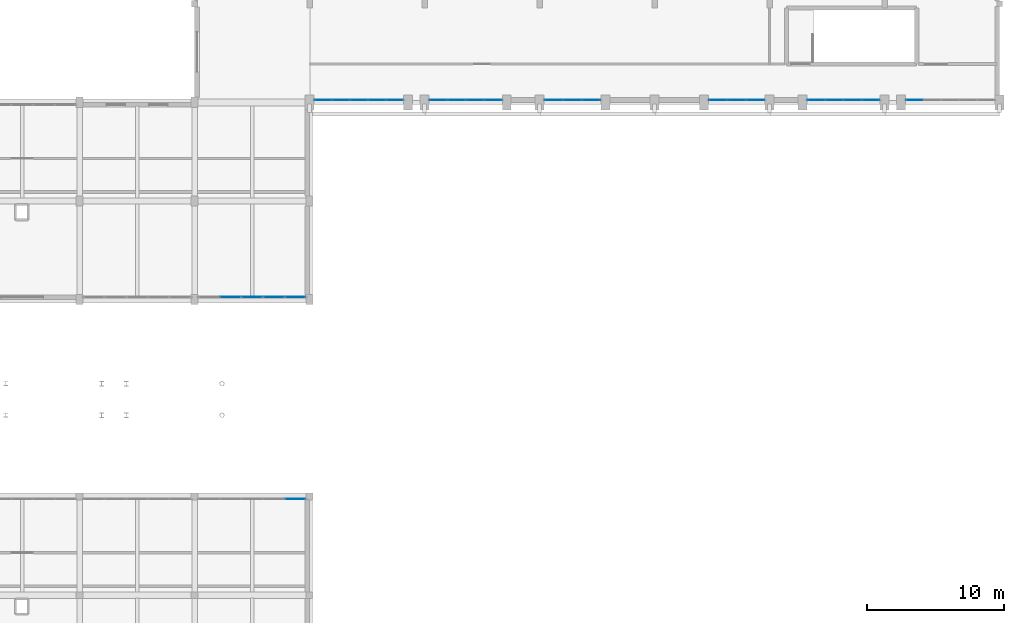
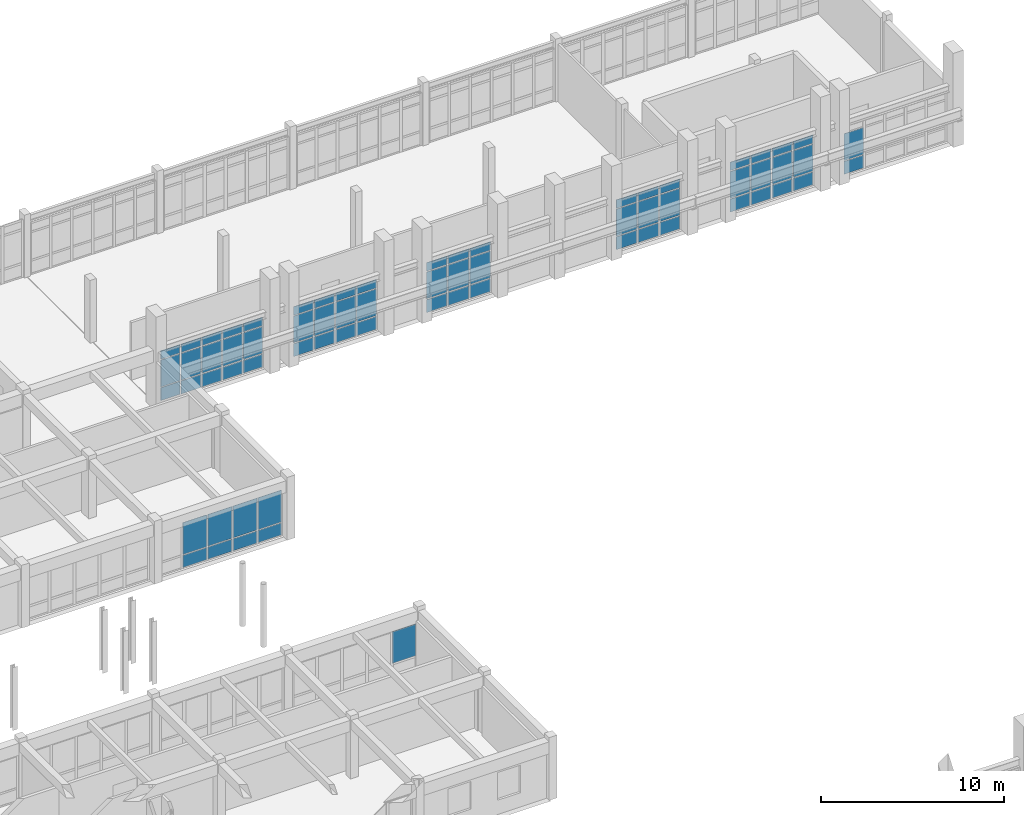
# One storey, part 118 of 147: 68 plates, 8 elements without a shape of their own.
"""IFC4 building model written with IfcOpenShell, lengths in metres."""

from ifc_helpers import new_model, si_unit, direction, frame, origin, origin_2d, place, context, subcontext, project, spatial, rectangle, extrude, material, layer, layer_set, type_object, element, aggregate, save


model = new_model("IFC4")

# Units and contexts
model_context = context("Model", 3, precision=1e-05, world=origin(), true_north=direction((0.0, 1.0)))
body_context = subcontext(model_context, "Body", "Model", "MODEL_VIEW")
ifc_project = project(units=[si_unit("LENGTHUNIT", "METRE"), si_unit("AREAUNIT", "SQUARE_METRE"), si_unit("VOLUMEUNIT", "CUBIC_METRE"), si_unit("PLANEANGLEUNIT", "RADIAN"), si_unit("MASSUNIT", "GRAM", prefix="KILO")], contexts=[model_context])

# Site, building, storey
site_placement = place(None, origin())
site = spatial("IfcSite", under=ifc_project, at=site_placement, CompositionType="ELEMENT")
building_placement = place(site_placement, origin())
building = spatial("IfcBuilding", under=site, at=building_placement, Name="Malvenik Polytechnic", CompositionType="ELEMENT")
storey_placement = place(building_placement, frame((0.0, 0.0, 5.10009765625)))
storey = spatial("IfcBuildingStorey", under=building, at=storey_placement, Name="L01", CompositionType="ELEMENT", Elevation=5.10009765625)

# Curtain wall, plate
ifc_material_1 = material(Name="Anodised aluminium 6060-T6", Category="aluminium")
curtain_wall_type_1 = type_object("IfcCurtainWallType", Name="ARC-CW-CW-05", PredefinedType="NOTDEFINED", material=ifc_material_1)
curtain_wall_1_placement = place(storey_placement, origin())
curtain_wall_1 = element("IfcCurtainWall", 1, at=curtain_wall_1_placement, inside=storey, type_object=curtain_wall_type_1, Name="Unitised Curtain Wall CW-05 L01 #71", PredefinedType="NOTDEFINED")
ifc_material_2 = material(Name="Insulated low-E double glazing 8-16-8", Category="glass")
ifc_layer_1 = layer(ifc_material_2, 0.028076171875)
ifc_layer_set_1 = layer_set([ifc_layer_1], Name="Insulated low-E double glazing 8-16-8")
plate_type_1 = type_object("IfcPlateType", Name="ARC-CWP-CP-GLZ28", PredefinedType="CURTAIN_PANEL", material=ifc_layer_set_1)
plate_1_placement = place(storey_placement, frame((178.593505859375, 93.77001953125, 0.97998046875), z_axis=(0.0, 0.0, 1.0), x_axis=(-1.0, 0.0, 0.0)))
plate_1 = element("IfcPlate", 2, at=plate_1_placement, type_object=plate_type_1, Name="CW-05 panel 5.2", PredefinedType="CURTAIN_PANEL", context=body_context, shape_type="SweptSolid", body=[
    extrude(rectangle(XDim=1.220703125, YDim=0.028076171875, at=origin_2d()), origin(), (0.0, 0.0, 1.0), 1.7880859375),
])

# Curtain wall, plates
curtain_wall_type_2 = type_object("IfcCurtainWallType", Name="ARC-CW-CW-15", PredefinedType="NOTDEFINED", material=ifc_material_1)
curtain_wall_2_placement = place(storey_placement, origin())
curtain_wall_2 = element("IfcCurtainWall", 3, at=curtain_wall_2_placement, inside=storey, type_object=curtain_wall_type_2, Name="Unitised Curtain Wall CW-15 L01 #72", PredefinedType="NOTDEFINED")
plate_2_placement = place(storey_placement, frame((175.392822265625, 93.77001953125, 0.97998046875), z_axis=(0.0, 0.0, 1.0), x_axis=(-1.0, 0.0, 0.0)))
plate_2 = element("IfcPlate", 4, at=plate_2_placement, type_object=plate_type_1, Name="CW-15 panel 1.2", PredefinedType="CURTAIN_PANEL", context=body_context, shape_type="SweptSolid", body=[
    extrude(rectangle(XDim=1.24853515625, YDim=0.028076171875, at=origin_2d()), origin(), (0.0, 0.0, 1.0), 1.7880859375),
])
plate_3_placement = place(storey_placement, frame((175.392822265625, 93.77001953125, 2.827880859375), z_axis=(0.0, 0.0, 1.0), x_axis=(-1.0, 0.0, 0.0)))
plate_3 = element("IfcPlate", 5, at=plate_3_placement, type_object=plate_type_1, Name="CW-15 panel 1.3", PredefinedType="CURTAIN_PANEL", context=body_context, shape_type="SweptSolid", body=[
    extrude(rectangle(XDim=1.24853515625, YDim=0.028076171875, at=origin_2d()), origin(), (0.0, 0.0, 1.0), 0.56005859375),
])
plate_4_placement = place(storey_placement, frame((174.0693359375, 93.77001953125, 0.97998046875), z_axis=(0.0, 0.0, 1.0), x_axis=(-1.0, 0.0, 0.0)))
plate_4 = element("IfcPlate", 6, at=plate_4_placement, type_object=plate_type_1, Name="CW-15 panel 2.2", PredefinedType="CURTAIN_PANEL", context=body_context, shape_type="SweptSolid", body=[
    extrude(rectangle(XDim=1.278564453125, YDim=0.028076171875, at=origin_2d()), origin(), (0.0, 0.0, 1.0), 1.7880859375),
])
plate_5_placement = place(storey_placement, frame((174.0693359375, 93.77001953125, 2.827880859375), z_axis=(0.0, 0.0, 1.0), x_axis=(-1.0, 0.0, 0.0)))
plate_5 = element("IfcPlate", 7, at=plate_5_placement, type_object=plate_type_1, Name="CW-15 panel 2.3", PredefinedType="CURTAIN_PANEL", context=body_context, shape_type="SweptSolid", body=[
    extrude(rectangle(XDim=1.278564453125, YDim=0.028076171875, at=origin_2d()), origin(), (0.0, 0.0, 1.0), 0.56005859375),
])
plate_6_placement = place(storey_placement, frame((172.730712890625, 93.77001953125, 0.97998046875), z_axis=(0.0, 0.0, 1.0), x_axis=(-1.0, 0.0, 0.0)))
plate_6 = element("IfcPlate", 8, at=plate_6_placement, type_object=plate_type_1, Name="CW-15 panel 3.2", PredefinedType="CURTAIN_PANEL", context=body_context, shape_type="SweptSolid", body=[
    extrude(rectangle(XDim=1.278564453125, YDim=0.028076171875, at=origin_2d()), origin(), (0.0, 0.0, 1.0), 1.7880859375),
])
plate_7_placement = place(storey_placement, frame((172.730712890625, 93.77001953125, 2.827880859375), z_axis=(0.0, 0.0, 1.0), x_axis=(-1.0, 0.0, 0.0)))
plate_7 = element("IfcPlate", 9, at=plate_7_placement, type_object=plate_type_1, Name="CW-15 panel 3.3", PredefinedType="CURTAIN_PANEL", context=body_context, shape_type="SweptSolid", body=[
    extrude(rectangle(XDim=1.278564453125, YDim=0.028076171875, at=origin_2d()), origin(), (0.0, 0.0, 1.0), 0.56005859375),
])
plate_8_placement = place(storey_placement, frame((171.4072265625, 93.77001953125, 0.97998046875), z_axis=(0.0, 0.0, 1.0), x_axis=(-1.0, 0.0, 0.0)))
plate_8 = element("IfcPlate", 10, at=plate_8_placement, type_object=plate_type_1, Name="CW-15 panel 4.2", PredefinedType="CURTAIN_PANEL", context=body_context, shape_type="SweptSolid", body=[
    extrude(rectangle(XDim=1.24853515625, YDim=0.028076171875, at=origin_2d()), origin(), (0.0, 0.0, 1.0), 1.7880859375),
])
plate_9_placement = place(storey_placement, frame((171.4072265625, 93.77001953125, 2.827880859375), z_axis=(0.0, 0.0, 1.0), x_axis=(-1.0, 0.0, 0.0)))
plate_9 = element("IfcPlate", 11, at=plate_9_placement, type_object=plate_type_1, Name="CW-15 panel 4.3", PredefinedType="CURTAIN_PANEL", context=body_context, shape_type="SweptSolid", body=[
    extrude(rectangle(XDim=1.24853515625, YDim=0.028076171875, at=origin_2d()), origin(), (0.0, 0.0, 1.0), 0.56005859375),
])

curtain_wall_type_3 = type_object("IfcCurtainWallType", Name="ARC-CW-CW-11", PredefinedType="NOTDEFINED", material=ifc_material_1)
curtain_wall_3_placement = place(storey_placement, origin())
curtain_wall_3 = element("IfcCurtainWall", 12, at=curtain_wall_3_placement, inside=storey, type_object=curtain_wall_type_3, Name="Unitised Curtain Wall CW-11 L01 #73", PredefinedType="NOTDEFINED")
plate_10_placement = place(storey_placement, frame((166.9697265625, 93.77001953125, 0.97998046875), z_axis=(0.0, 0.0, 1.0), x_axis=(-1.0, 0.0, 0.0)))
plate_10 = element("IfcPlate", 13, at=plate_10_placement, type_object=plate_type_1, Name="CW-11 panel 1.2", PredefinedType="CURTAIN_PANEL", context=body_context, shape_type="SweptSolid", body=[
    extrude(rectangle(XDim=1.294677734375, YDim=0.028076171875, at=origin_2d()), origin(), (0.0, 0.0, 1.0), 1.7880859375),
])
plate_11_placement = place(storey_placement, frame((166.9697265625, 93.77001953125, 2.827880859375), z_axis=(0.0, 0.0, 1.0), x_axis=(-1.0, 0.0, 0.0)))
plate_11 = element("IfcPlate", 14, at=plate_11_placement, type_object=plate_type_1, Name="CW-11 panel 1.3", PredefinedType="CURTAIN_PANEL", context=body_context, shape_type="SweptSolid", body=[
    extrude(rectangle(XDim=1.294677734375, YDim=0.028076171875, at=origin_2d()), origin(), (0.0, 0.0, 1.0), 0.56005859375),
])
plate_12_placement = place(storey_placement, frame((165.60009765625, 93.77001953125, 0.97998046875), z_axis=(0.0, 0.0, 1.0), x_axis=(-1.0, 0.0, 0.0)))
plate_12 = element("IfcPlate", 15, at=plate_12_placement, type_object=plate_type_1, Name="CW-11 panel 2.2", PredefinedType="CURTAIN_PANEL", context=body_context, shape_type="SweptSolid", body=[
    extrude(rectangle(XDim=1.32470703125, YDim=0.028076171875, at=origin_2d()), origin(), (0.0, 0.0, 1.0), 1.7880859375),
])
plate_13_placement = place(storey_placement, frame((165.60009765625, 93.77001953125, 2.827880859375), z_axis=(0.0, 0.0, 1.0), x_axis=(-1.0, 0.0, 0.0)))
plate_13 = element("IfcPlate", 16, at=plate_13_placement, type_object=plate_type_1, Name="CW-11 panel 2.3", PredefinedType="CURTAIN_PANEL", context=body_context, shape_type="SweptSolid", body=[
    extrude(rectangle(XDim=1.32470703125, YDim=0.028076171875, at=origin_2d()), origin(), (0.0, 0.0, 1.0), 0.56005859375),
])
plate_14_placement = place(storey_placement, frame((164.230224609375, 93.77001953125, 0.97998046875), z_axis=(0.0, 0.0, 1.0), x_axis=(-1.0, 0.0, 0.0)))
plate_14 = element("IfcPlate", 17, at=plate_14_placement, type_object=plate_type_1, Name="CW-11 panel 3.2", PredefinedType="CURTAIN_PANEL", context=body_context, shape_type="SweptSolid", body=[
    extrude(rectangle(XDim=1.294677734375, YDim=0.028076171875, at=origin_2d()), origin(), (0.0, 0.0, 1.0), 1.7880859375),
])
plate_15_placement = place(storey_placement, frame((164.230224609375, 93.77001953125, 2.827880859375), z_axis=(0.0, 0.0, 1.0), x_axis=(-1.0, 0.0, 0.0)))
plate_15 = element("IfcPlate", 18, at=plate_15_placement, type_object=plate_type_1, Name="CW-11 panel 3.3", PredefinedType="CURTAIN_PANEL", context=body_context, shape_type="SweptSolid", body=[
    extrude(rectangle(XDim=1.294677734375, YDim=0.028076171875, at=origin_2d()), origin(), (0.0, 0.0, 1.0), 0.56005859375),
])

curtain_wall_4_placement = place(storey_placement, origin())
curtain_wall_4 = element("IfcCurtainWall", 19, at=curtain_wall_4_placement, inside=storey, type_object=curtain_wall_type_3, Name="Unitised Curtain Wall CW-11 L01 #74", PredefinedType="NOTDEFINED")
plate_16_placement = place(storey_placement, frame((154.9697265625, 93.77001953125, 0.97998046875), z_axis=(0.0, 0.0, 1.0), x_axis=(-1.0, 0.0, 0.0)))
plate_16 = element("IfcPlate", 20, at=plate_16_placement, type_object=plate_type_1, Name="CW-11 panel 1.2", PredefinedType="CURTAIN_PANEL", context=body_context, shape_type="SweptSolid", body=[
    extrude(rectangle(XDim=1.294677734375, YDim=0.028076171875, at=origin_2d()), origin(), (0.0, 0.0, 1.0), 1.7880859375),
])
plate_17_placement = place(storey_placement, frame((154.9697265625, 93.77001953125, 2.827880859375), z_axis=(0.0, 0.0, 1.0), x_axis=(-1.0, 0.0, 0.0)))
plate_17 = element("IfcPlate", 21, at=plate_17_placement, type_object=plate_type_1, Name="CW-11 panel 1.3", PredefinedType="CURTAIN_PANEL", context=body_context, shape_type="SweptSolid", body=[
    extrude(rectangle(XDim=1.294677734375, YDim=0.028076171875, at=origin_2d()), origin(), (0.0, 0.0, 1.0), 0.56005859375),
])
plate_18_placement = place(storey_placement, frame((153.60009765625, 93.77001953125, 0.97998046875), z_axis=(0.0, 0.0, 1.0), x_axis=(-1.0, 0.0, 0.0)))
plate_18 = element("IfcPlate", 22, at=plate_18_placement, type_object=plate_type_1, Name="CW-11 panel 2.2", PredefinedType="CURTAIN_PANEL", context=body_context, shape_type="SweptSolid", body=[
    extrude(rectangle(XDim=1.32470703125, YDim=0.028076171875, at=origin_2d()), origin(), (0.0, 0.0, 1.0), 1.7880859375),
])
plate_19_placement = place(storey_placement, frame((153.60009765625, 93.77001953125, 2.827880859375), z_axis=(0.0, 0.0, 1.0), x_axis=(-1.0, 0.0, 0.0)))
plate_19 = element("IfcPlate", 23, at=plate_19_placement, type_object=plate_type_1, Name="CW-11 panel 2.3", PredefinedType="CURTAIN_PANEL", context=body_context, shape_type="SweptSolid", body=[
    extrude(rectangle(XDim=1.32470703125, YDim=0.028076171875, at=origin_2d()), origin(), (0.0, 0.0, 1.0), 0.56005859375),
])
plate_20_placement = place(storey_placement, frame((152.230224609375, 93.77001953125, 0.97998046875), z_axis=(0.0, 0.0, 1.0), x_axis=(-1.0, 0.0, 0.0)))
plate_20 = element("IfcPlate", 24, at=plate_20_placement, type_object=plate_type_1, Name="CW-11 panel 3.2", PredefinedType="CURTAIN_PANEL", context=body_context, shape_type="SweptSolid", body=[
    extrude(rectangle(XDim=1.294677734375, YDim=0.028076171875, at=origin_2d()), origin(), (0.0, 0.0, 1.0), 1.7880859375),
])
plate_21_placement = place(storey_placement, frame((152.230224609375, 93.77001953125, 2.827880859375), z_axis=(0.0, 0.0, 1.0), x_axis=(-1.0, 0.0, 0.0)))
plate_21 = element("IfcPlate", 25, at=plate_21_placement, type_object=plate_type_1, Name="CW-11 panel 3.3", PredefinedType="CURTAIN_PANEL", context=body_context, shape_type="SweptSolid", body=[
    extrude(rectangle(XDim=1.294677734375, YDim=0.028076171875, at=origin_2d()), origin(), (0.0, 0.0, 1.0), 0.56005859375),
])

curtain_wall_5_placement = place(storey_placement, origin())
curtain_wall_5 = element("IfcCurtainWall", 26, at=curtain_wall_5_placement, inside=storey, type_object=curtain_wall_type_2, Name="Unitised Curtain Wall CW-15 L01 #75", PredefinedType="NOTDEFINED")
plate_22_placement = place(storey_placement, frame((147.792724609375, 93.77001953125, 0.97998046875), z_axis=(0.0, 0.0, 1.0), x_axis=(-1.0, 0.0, 0.0)))
plate_22 = element("IfcPlate", 27, at=plate_22_placement, type_object=plate_type_1, Name="CW-15 panel 1.2", PredefinedType="CURTAIN_PANEL", context=body_context, shape_type="SweptSolid", body=[
    extrude(rectangle(XDim=1.24853515625, YDim=0.028076171875, at=origin_2d()), origin(), (0.0, 0.0, 1.0), 1.7880859375),
])
plate_23_placement = place(storey_placement, frame((147.792724609375, 93.77001953125, 2.827880859375), z_axis=(0.0, 0.0, 1.0), x_axis=(-1.0, 0.0, 0.0)))
plate_23 = element("IfcPlate", 28, at=plate_23_placement, type_object=plate_type_1, Name="CW-15 panel 1.3", PredefinedType="CURTAIN_PANEL", context=body_context, shape_type="SweptSolid", body=[
    extrude(rectangle(XDim=1.24853515625, YDim=0.028076171875, at=origin_2d()), origin(), (0.0, 0.0, 1.0), 0.56005859375),
])
plate_24_placement = place(storey_placement, frame((146.46923828125, 93.77001953125, 0.97998046875), z_axis=(0.0, 0.0, 1.0), x_axis=(-1.0, 0.0, 0.0)))
plate_24 = element("IfcPlate", 29, at=plate_24_placement, type_object=plate_type_1, Name="CW-15 panel 2.2", PredefinedType="CURTAIN_PANEL", context=body_context, shape_type="SweptSolid", body=[
    extrude(rectangle(XDim=1.278564453125, YDim=0.028076171875, at=origin_2d()), origin(), (0.0, 0.0, 1.0), 1.7880859375),
])
plate_25_placement = place(storey_placement, frame((146.46923828125, 93.77001953125, 2.827880859375), z_axis=(0.0, 0.0, 1.0), x_axis=(-1.0, 0.0, 0.0)))
plate_25 = element("IfcPlate", 30, at=plate_25_placement, type_object=plate_type_1, Name="CW-15 panel 2.3", PredefinedType="CURTAIN_PANEL", context=body_context, shape_type="SweptSolid", body=[
    extrude(rectangle(XDim=1.278564453125, YDim=0.028076171875, at=origin_2d()), origin(), (0.0, 0.0, 1.0), 0.56005859375),
])
plate_26_placement = place(storey_placement, frame((145.130859375, 93.77001953125, 0.97998046875), z_axis=(0.0, 0.0, 1.0), x_axis=(-1.0, 0.0, 0.0)))
plate_26 = element("IfcPlate", 31, at=plate_26_placement, type_object=plate_type_1, Name="CW-15 panel 3.2", PredefinedType="CURTAIN_PANEL", context=body_context, shape_type="SweptSolid", body=[
    extrude(rectangle(XDim=1.278564453125, YDim=0.028076171875, at=origin_2d()), origin(), (0.0, 0.0, 1.0), 1.7880859375),
])
plate_27_placement = place(storey_placement, frame((145.130859375, 93.77001953125, 2.827880859375), z_axis=(0.0, 0.0, 1.0), x_axis=(-1.0, 0.0, 0.0)))
plate_27 = element("IfcPlate", 32, at=plate_27_placement, type_object=plate_type_1, Name="CW-15 panel 3.3", PredefinedType="CURTAIN_PANEL", context=body_context, shape_type="SweptSolid", body=[
    extrude(rectangle(XDim=1.278564453125, YDim=0.028076171875, at=origin_2d()), origin(), (0.0, 0.0, 1.0), 0.56005859375),
])
plate_28_placement = place(storey_placement, frame((143.80712890625, 93.77001953125, 0.97998046875), z_axis=(0.0, 0.0, 1.0), x_axis=(-1.0, 0.0, 0.0)))
plate_28 = element("IfcPlate", 33, at=plate_28_placement, type_object=plate_type_1, Name="CW-15 panel 4.2", PredefinedType="CURTAIN_PANEL", context=body_context, shape_type="SweptSolid", body=[
    extrude(rectangle(XDim=1.24853515625, YDim=0.028076171875, at=origin_2d()), origin(), (0.0, 0.0, 1.0), 1.7880859375),
])
plate_29_placement = place(storey_placement, frame((143.80712890625, 93.77001953125, 2.827880859375), z_axis=(0.0, 0.0, 1.0), x_axis=(-1.0, 0.0, 0.0)))
plate_29 = element("IfcPlate", 34, at=plate_29_placement, type_object=plate_type_1, Name="CW-15 panel 4.3", PredefinedType="CURTAIN_PANEL", context=body_context, shape_type="SweptSolid", body=[
    extrude(rectangle(XDim=1.24853515625, YDim=0.028076171875, at=origin_2d()), origin(), (0.0, 0.0, 1.0), 0.56005859375),
])

curtain_wall_6_placement = place(storey_placement, origin())
curtain_wall_6 = element("IfcCurtainWall", 35, at=curtain_wall_6_placement, inside=storey, type_object=curtain_wall_type_1, Name="Unitised Curtain Wall CW-05 L01 #76", PredefinedType="NOTDEFINED")
plate_30_placement = place(storey_placement, frame((140.606689453125, 93.77001953125, 0.97998046875), z_axis=(0.0, 0.0, 1.0), x_axis=(-1.0, 0.0, 0.0)))
plate_30 = element("IfcPlate", 36, at=plate_30_placement, type_object=plate_type_1, Name="CW-05 panel 1.2", PredefinedType="CURTAIN_PANEL", context=body_context, shape_type="SweptSolid", body=[
    extrude(rectangle(XDim=1.220703125, YDim=0.028076171875, at=origin_2d()), origin(), (0.0, 0.0, 1.0), 1.7880859375),
])
plate_31_placement = place(storey_placement, frame((140.606689453125, 93.77001953125, 2.827880859375), z_axis=(0.0, 0.0, 1.0), x_axis=(-1.0, 0.0, 0.0)))
plate_31 = element("IfcPlate", 37, at=plate_31_placement, type_object=plate_type_1, Name="CW-05 panel 1.3", PredefinedType="CURTAIN_PANEL", context=body_context, shape_type="SweptSolid", body=[
    extrude(rectangle(XDim=1.220703125, YDim=0.028076171875, at=origin_2d()), origin(), (0.0, 0.0, 1.0), 0.56005859375),
])
plate_32_placement = place(storey_placement, frame((139.310791015625, 93.77001953125, 0.97998046875), z_axis=(0.0, 0.0, 1.0), x_axis=(-1.0, 0.0, 0.0)))
plate_32 = element("IfcPlate", 38, at=plate_32_placement, type_object=plate_type_1, Name="CW-05 panel 2.2", PredefinedType="CURTAIN_PANEL", context=body_context, shape_type="SweptSolid", body=[
    extrude(rectangle(XDim=1.250732421875, YDim=0.028076171875, at=origin_2d()), origin(), (0.0, 0.0, 1.0), 1.7880859375),
])
plate_33_placement = place(storey_placement, frame((139.310791015625, 93.77001953125, 2.827880859375), z_axis=(0.0, 0.0, 1.0), x_axis=(-1.0, 0.0, 0.0)))
plate_33 = element("IfcPlate", 39, at=plate_33_placement, type_object=plate_type_1, Name="CW-05 panel 2.3", PredefinedType="CURTAIN_PANEL", context=body_context, shape_type="SweptSolid", body=[
    extrude(rectangle(XDim=1.250732421875, YDim=0.028076171875, at=origin_2d()), origin(), (0.0, 0.0, 1.0), 0.56005859375),
])
plate_34_placement = place(storey_placement, frame((138.0, 93.77001953125, 0.97998046875), z_axis=(0.0, 0.0, 1.0), x_axis=(-1.0, 0.0, 0.0)))
plate_34 = element("IfcPlate", 40, at=plate_34_placement, type_object=plate_type_1, Name="CW-05 panel 3.2", PredefinedType="CURTAIN_PANEL", context=body_context, shape_type="SweptSolid", body=[
    extrude(rectangle(XDim=1.250732421875, YDim=0.028076171875, at=origin_2d()), origin(), (0.0, 0.0, 1.0), 1.7880859375),
])
plate_35_placement = place(storey_placement, frame((138.0, 93.77001953125, 2.827880859375), z_axis=(0.0, 0.0, 1.0), x_axis=(-1.0, 0.0, 0.0)))
plate_35 = element("IfcPlate", 41, at=plate_35_placement, type_object=plate_type_1, Name="CW-05 panel 3.3", PredefinedType="CURTAIN_PANEL", context=body_context, shape_type="SweptSolid", body=[
    extrude(rectangle(XDim=1.250732421875, YDim=0.028076171875, at=origin_2d()), origin(), (0.0, 0.0, 1.0), 0.56005859375),
])
plate_36_placement = place(storey_placement, frame((136.689208984375, 93.77001953125, 0.97998046875), z_axis=(0.0, 0.0, 1.0), x_axis=(-1.0, 0.0, 0.0)))
plate_36 = element("IfcPlate", 42, at=plate_36_placement, type_object=plate_type_1, Name="CW-05 panel 4.2", PredefinedType="CURTAIN_PANEL", context=body_context, shape_type="SweptSolid", body=[
    extrude(rectangle(XDim=1.250732421875, YDim=0.028076171875, at=origin_2d()), origin(), (0.0, 0.0, 1.0), 1.7880859375),
])
plate_37_placement = place(storey_placement, frame((136.689208984375, 93.77001953125, 2.827880859375), z_axis=(0.0, 0.0, 1.0), x_axis=(-1.0, 0.0, 0.0)))
plate_37 = element("IfcPlate", 43, at=plate_37_placement, type_object=plate_type_1, Name="CW-05 panel 4.3", PredefinedType="CURTAIN_PANEL", context=body_context, shape_type="SweptSolid", body=[
    extrude(rectangle(XDim=1.250732421875, YDim=0.028076171875, at=origin_2d()), origin(), (0.0, 0.0, 1.0), 0.56005859375),
])
plate_38_placement = place(storey_placement, frame((135.393310546875, 93.77001953125, 0.97998046875), z_axis=(0.0, 0.0, 1.0), x_axis=(-1.0, 0.0, 0.0)))
plate_38 = element("IfcPlate", 44, at=plate_38_placement, type_object=plate_type_1, Name="CW-05 panel 5.2", PredefinedType="CURTAIN_PANEL", context=body_context, shape_type="SweptSolid", body=[
    extrude(rectangle(XDim=1.220703125, YDim=0.028076171875, at=origin_2d()), origin(), (0.0, 0.0, 1.0), 1.7880859375),
])
plate_39_placement = place(storey_placement, frame((135.393310546875, 93.77001953125, 2.827880859375), z_axis=(0.0, 0.0, 1.0), x_axis=(-1.0, 0.0, 0.0)))
plate_39 = element("IfcPlate", 45, at=plate_39_placement, type_object=plate_type_1, Name="CW-05 panel 5.3", PredefinedType="CURTAIN_PANEL", context=body_context, shape_type="SweptSolid", body=[
    extrude(rectangle(XDim=1.220703125, YDim=0.028076171875, at=origin_2d()), origin(), (0.0, 0.0, 1.0), 0.56005859375),
])

curtain_wall_type_4 = type_object("IfcCurtainWallType", Name="ARC-CW-CW-02", PredefinedType="NOTDEFINED", material=ifc_material_1)
curtain_wall_7_placement = place(storey_placement, origin())
curtain_wall_7 = element("IfcCurtainWall", 46, at=curtain_wall_7_placement, inside=storey, type_object=curtain_wall_type_4, Name="Unitised Curtain Wall CW-02 L01 #77", PredefinedType="NOTDEFINED")
plate_40_placement = place(storey_placement, frame((133.3466796875, 79.3701171875, 0.929931640625), z_axis=(0.0, 0.0, 1.0), x_axis=(-1.0, 0.0, 0.0)))
plate_40 = element("IfcPlate", 47, at=plate_40_placement, type_object=plate_type_1, Name="CW-02 panel 1.2", PredefinedType="CURTAIN_PANEL", context=body_context, shape_type="SweptSolid", body=[
    extrude(rectangle(XDim=1.49072265625, YDim=0.028076171875, at=origin_2d()), origin(), (0.0, 0.0, 1.0), 2.1201171875),
])
plate_41_placement = place(storey_placement, frame((131.78076171875, 79.3701171875, 0.929931640625), z_axis=(0.0, 0.0, 1.0), x_axis=(-1.0, 0.0, 0.0)))
plate_41 = element("IfcPlate", 48, at=plate_41_placement, type_object=plate_type_1, Name="CW-02 panel 2.2", PredefinedType="CURTAIN_PANEL", context=body_context, shape_type="SweptSolid", body=[
    extrude(rectangle(XDim=1.520751953125, YDim=0.028076171875, at=origin_2d()), origin(), (0.0, 0.0, 1.0), 2.1201171875),
])
plate_42_placement = place(storey_placement, frame((130.199951171875, 79.3701171875, 0.929931640625), z_axis=(0.0, 0.0, 1.0), x_axis=(-1.0, 0.0, 0.0)))
plate_42 = element("IfcPlate", 49, at=plate_42_placement, type_object=plate_type_1, Name="CW-02 panel 3.2", PredefinedType="CURTAIN_PANEL", context=body_context, shape_type="SweptSolid", body=[
    extrude(rectangle(XDim=1.520751953125, YDim=0.028076171875, at=origin_2d()), origin(), (0.0, 0.0, 1.0), 2.1201171875),
])
plate_43_placement = place(storey_placement, frame((128.619140625, 79.3701171875, 0.929931640625), z_axis=(0.0, 0.0, 1.0), x_axis=(-1.0, 0.0, 0.0)))
plate_43 = element("IfcPlate", 50, at=plate_43_placement, type_object=plate_type_1, Name="CW-02 panel 4.2", PredefinedType="CURTAIN_PANEL", context=body_context, shape_type="SweptSolid", body=[
    extrude(rectangle(XDim=1.520751953125, YDim=0.028076171875, at=origin_2d()), origin(), (0.0, 0.0, 1.0), 2.1201171875),
])

# Curtain wall, plate
curtain_wall_8_placement = place(storey_placement, origin())
curtain_wall_8 = element("IfcCurtainWall", 51, at=curtain_wall_8_placement, inside=storey, type_object=curtain_wall_type_4, Name="Unitised Curtain Wall CW-02 L01 #88", PredefinedType="NOTDEFINED")
plate_44_placement = place(storey_placement, frame((133.3466796875, 64.6298828125, 0.929931640625), z_axis=(0.0, 0.0, 1.0), x_axis=(1.0, 0.0, 0.0)))
plate_44 = element("IfcPlate", 52, at=plate_44_placement, type_object=plate_type_1, Name="CW-02 panel 5.2", PredefinedType="CURTAIN_PANEL", context=body_context, shape_type="SweptSolid", body=[
    extrude(rectangle(XDim=1.49072265625, YDim=0.028076171875, at=origin_2d()), origin(), (0.0, 0.0, 1.0), 2.1201171875),
])
aggregate(curtain_wall_8, [plate_44])

# Plate
ifc_material_3 = material(Name="Insulated aluminium spandrel cassette 42mm", Category="aluminium")
ifc_layer_2 = layer(ifc_material_3, 0.0419921875)
ifc_layer_set_2 = layer_set([ifc_layer_2], Name="Insulated aluminium spandrel cassette 42mm")
plate_type_2 = type_object("IfcPlateType", Name="ARC-CWP-CP-SPN42", PredefinedType="CURTAIN_PANEL", material=ifc_layer_set_2)
plate_45_placement = place(storey_placement, frame((178.593505859375, 93.77001953125, 0.06005859375), z_axis=(0.0, 0.0, 1.0), x_axis=(-1.0, 0.0, 0.0)))
plate_45 = element("IfcPlate", 53, at=plate_45_placement, type_object=plate_type_2, Name="CW-05 panel 5.1", PredefinedType="CURTAIN_PANEL", context=body_context, shape_type="SweptSolid", body=[
    extrude(rectangle(XDim=1.220703125, YDim=0.028076171875, at=origin_2d()), origin(), (0.0, 0.0, 1.0), 0.860107421875),
])

aggregate(curtain_wall_1, [plate_45, plate_1])

plate_46_placement = place(storey_placement, frame((175.392822265625, 93.77001953125, 0.06005859375), z_axis=(0.0, 0.0, 1.0), x_axis=(-1.0, 0.0, 0.0)))
plate_46 = element("IfcPlate", 54, at=plate_46_placement, type_object=plate_type_2, Name="CW-15 panel 1.1", PredefinedType="CURTAIN_PANEL", context=body_context, shape_type="SweptSolid", body=[
    extrude(rectangle(XDim=1.24853515625, YDim=0.028076171875, at=origin_2d()), origin(), (0.0, 0.0, 1.0), 0.860107421875),
])

plate_47_placement = place(storey_placement, frame((174.0693359375, 93.77001953125, 0.06005859375), z_axis=(0.0, 0.0, 1.0), x_axis=(-1.0, 0.0, 0.0)))
plate_47 = element("IfcPlate", 55, at=plate_47_placement, type_object=plate_type_2, Name="CW-15 panel 2.1", PredefinedType="CURTAIN_PANEL", context=body_context, shape_type="SweptSolid", body=[
    extrude(rectangle(XDim=1.278564453125, YDim=0.028076171875, at=origin_2d()), origin(), (0.0, 0.0, 1.0), 0.860107421875),
])

plate_48_placement = place(storey_placement, frame((172.730712890625, 93.77001953125, 0.06005859375), z_axis=(0.0, 0.0, 1.0), x_axis=(-1.0, 0.0, 0.0)))
plate_48 = element("IfcPlate", 56, at=plate_48_placement, type_object=plate_type_2, Name="CW-15 panel 3.1", PredefinedType="CURTAIN_PANEL", context=body_context, shape_type="SweptSolid", body=[
    extrude(rectangle(XDim=1.278564453125, YDim=0.028076171875, at=origin_2d()), origin(), (0.0, 0.0, 1.0), 0.860107421875),
])

plate_49_placement = place(storey_placement, frame((171.4072265625, 93.77001953125, 0.06005859375), z_axis=(0.0, 0.0, 1.0), x_axis=(-1.0, 0.0, 0.0)))
plate_49 = element("IfcPlate", 57, at=plate_49_placement, type_object=plate_type_2, Name="CW-15 panel 4.1", PredefinedType="CURTAIN_PANEL", context=body_context, shape_type="SweptSolid", body=[
    extrude(rectangle(XDim=1.24853515625, YDim=0.028076171875, at=origin_2d()), origin(), (0.0, 0.0, 1.0), 0.860107421875),
])

aggregate(curtain_wall_2, [plate_46, plate_2, plate_3, plate_47, plate_4, plate_5, plate_48, plate_6, plate_7, plate_49, plate_8, plate_9])

plate_50_placement = place(storey_placement, frame((166.9697265625, 93.77001953125, 0.06005859375), z_axis=(0.0, 0.0, 1.0), x_axis=(-1.0, 0.0, 0.0)))
plate_50 = element("IfcPlate", 58, at=plate_50_placement, type_object=plate_type_2, Name="CW-11 panel 1.1", PredefinedType="CURTAIN_PANEL", context=body_context, shape_type="SweptSolid", body=[
    extrude(rectangle(XDim=1.294677734375, YDim=0.028076171875, at=origin_2d()), origin(), (0.0, 0.0, 1.0), 0.860107421875),
])

plate_51_placement = place(storey_placement, frame((165.60009765625, 93.77001953125, 0.06005859375), z_axis=(0.0, 0.0, 1.0), x_axis=(-1.0, 0.0, 0.0)))
plate_51 = element("IfcPlate", 59, at=plate_51_placement, type_object=plate_type_2, Name="CW-11 panel 2.1", PredefinedType="CURTAIN_PANEL", context=body_context, shape_type="SweptSolid", body=[
    extrude(rectangle(XDim=1.32470703125, YDim=0.028076171875, at=origin_2d()), origin(), (0.0, 0.0, 1.0), 0.860107421875),
])

plate_52_placement = place(storey_placement, frame((164.230224609375, 93.77001953125, 0.06005859375), z_axis=(0.0, 0.0, 1.0), x_axis=(-1.0, 0.0, 0.0)))
plate_52 = element("IfcPlate", 60, at=plate_52_placement, type_object=plate_type_2, Name="CW-11 panel 3.1", PredefinedType="CURTAIN_PANEL", context=body_context, shape_type="SweptSolid", body=[
    extrude(rectangle(XDim=1.294677734375, YDim=0.028076171875, at=origin_2d()), origin(), (0.0, 0.0, 1.0), 0.860107421875),
])

aggregate(curtain_wall_3, [plate_50, plate_10, plate_11, plate_51, plate_12, plate_13, plate_52, plate_14, plate_15])

plate_53_placement = place(storey_placement, frame((154.9697265625, 93.77001953125, 0.06005859375), z_axis=(0.0, 0.0, 1.0), x_axis=(-1.0, 0.0, 0.0)))
plate_53 = element("IfcPlate", 61, at=plate_53_placement, type_object=plate_type_2, Name="CW-11 panel 1.1", PredefinedType="CURTAIN_PANEL", context=body_context, shape_type="SweptSolid", body=[
    extrude(rectangle(XDim=1.294677734375, YDim=0.028076171875, at=origin_2d()), origin(), (0.0, 0.0, 1.0), 0.860107421875),
])

plate_54_placement = place(storey_placement, frame((153.60009765625, 93.77001953125, 0.06005859375), z_axis=(0.0, 0.0, 1.0), x_axis=(-1.0, 0.0, 0.0)))
plate_54 = element("IfcPlate", 62, at=plate_54_placement, type_object=plate_type_2, Name="CW-11 panel 2.1", PredefinedType="CURTAIN_PANEL", context=body_context, shape_type="SweptSolid", body=[
    extrude(rectangle(XDim=1.32470703125, YDim=0.028076171875, at=origin_2d()), origin(), (0.0, 0.0, 1.0), 0.860107421875),
])

plate_55_placement = place(storey_placement, frame((152.230224609375, 93.77001953125, 0.06005859375), z_axis=(0.0, 0.0, 1.0), x_axis=(-1.0, 0.0, 0.0)))
plate_55 = element("IfcPlate", 63, at=plate_55_placement, type_object=plate_type_2, Name="CW-11 panel 3.1", PredefinedType="CURTAIN_PANEL", context=body_context, shape_type="SweptSolid", body=[
    extrude(rectangle(XDim=1.294677734375, YDim=0.028076171875, at=origin_2d()), origin(), (0.0, 0.0, 1.0), 0.860107421875),
])

aggregate(curtain_wall_4, [plate_53, plate_16, plate_17, plate_54, plate_18, plate_19, plate_55, plate_20, plate_21])

plate_56_placement = place(storey_placement, frame((147.792724609375, 93.77001953125, 0.06005859375), z_axis=(0.0, 0.0, 1.0), x_axis=(-1.0, 0.0, 0.0)))
plate_56 = element("IfcPlate", 64, at=plate_56_placement, type_object=plate_type_2, Name="CW-15 panel 1.1", PredefinedType="CURTAIN_PANEL", context=body_context, shape_type="SweptSolid", body=[
    extrude(rectangle(XDim=1.24853515625, YDim=0.028076171875, at=origin_2d()), origin(), (0.0, 0.0, 1.0), 0.860107421875),
])

plate_57_placement = place(storey_placement, frame((146.46923828125, 93.77001953125, 0.06005859375), z_axis=(0.0, 0.0, 1.0), x_axis=(-1.0, 0.0, 0.0)))
plate_57 = element("IfcPlate", 65, at=plate_57_placement, type_object=plate_type_2, Name="CW-15 panel 2.1", PredefinedType="CURTAIN_PANEL", context=body_context, shape_type="SweptSolid", body=[
    extrude(rectangle(XDim=1.278564453125, YDim=0.028076171875, at=origin_2d()), origin(), (0.0, 0.0, 1.0), 0.860107421875),
])

plate_58_placement = place(storey_placement, frame((145.130859375, 93.77001953125, 0.06005859375), z_axis=(0.0, 0.0, 1.0), x_axis=(-1.0, 0.0, 0.0)))
plate_58 = element("IfcPlate", 66, at=plate_58_placement, type_object=plate_type_2, Name="CW-15 panel 3.1", PredefinedType="CURTAIN_PANEL", context=body_context, shape_type="SweptSolid", body=[
    extrude(rectangle(XDim=1.278564453125, YDim=0.028076171875, at=origin_2d()), origin(), (0.0, 0.0, 1.0), 0.860107421875),
])

plate_59_placement = place(storey_placement, frame((143.80712890625, 93.77001953125, 0.06005859375), z_axis=(0.0, 0.0, 1.0), x_axis=(-1.0, 0.0, 0.0)))
plate_59 = element("IfcPlate", 67, at=plate_59_placement, type_object=plate_type_2, Name="CW-15 panel 4.1", PredefinedType="CURTAIN_PANEL", context=body_context, shape_type="SweptSolid", body=[
    extrude(rectangle(XDim=1.24853515625, YDim=0.028076171875, at=origin_2d()), origin(), (0.0, 0.0, 1.0), 0.860107421875),
])

aggregate(curtain_wall_5, [plate_56, plate_22, plate_23, plate_57, plate_24, plate_25, plate_58, plate_26, plate_27, plate_59, plate_28, plate_29])

plate_60_placement = place(storey_placement, frame((140.606689453125, 93.77001953125, 0.06005859375), z_axis=(0.0, 0.0, 1.0), x_axis=(-1.0, 0.0, 0.0)))
plate_60 = element("IfcPlate", 68, at=plate_60_placement, type_object=plate_type_2, Name="CW-05 panel 1.1", PredefinedType="CURTAIN_PANEL", context=body_context, shape_type="SweptSolid", body=[
    extrude(rectangle(XDim=1.220703125, YDim=0.028076171875, at=origin_2d()), origin(), (0.0, 0.0, 1.0), 0.860107421875),
])

plate_61_placement = place(storey_placement, frame((139.310791015625, 93.77001953125, 0.06005859375), z_axis=(0.0, 0.0, 1.0), x_axis=(-1.0, 0.0, 0.0)))
plate_61 = element("IfcPlate", 69, at=plate_61_placement, type_object=plate_type_2, Name="CW-05 panel 2.1", PredefinedType="CURTAIN_PANEL", context=body_context, shape_type="SweptSolid", body=[
    extrude(rectangle(XDim=1.250732421875, YDim=0.028076171875, at=origin_2d()), origin(), (0.0, 0.0, 1.0), 0.860107421875),
])

plate_62_placement = place(storey_placement, frame((138.0, 93.77001953125, 0.06005859375), z_axis=(0.0, 0.0, 1.0), x_axis=(-1.0, 0.0, 0.0)))
plate_62 = element("IfcPlate", 70, at=plate_62_placement, type_object=plate_type_2, Name="CW-05 panel 3.1", PredefinedType="CURTAIN_PANEL", context=body_context, shape_type="SweptSolid", body=[
    extrude(rectangle(XDim=1.250732421875, YDim=0.028076171875, at=origin_2d()), origin(), (0.0, 0.0, 1.0), 0.860107421875),
])

plate_63_placement = place(storey_placement, frame((136.689208984375, 93.77001953125, 0.06005859375), z_axis=(0.0, 0.0, 1.0), x_axis=(-1.0, 0.0, 0.0)))
plate_63 = element("IfcPlate", 71, at=plate_63_placement, type_object=plate_type_2, Name="CW-05 panel 4.1", PredefinedType="CURTAIN_PANEL", context=body_context, shape_type="SweptSolid", body=[
    extrude(rectangle(XDim=1.250732421875, YDim=0.028076171875, at=origin_2d()), origin(), (0.0, 0.0, 1.0), 0.860107421875),
])

plate_64_placement = place(storey_placement, frame((135.393310546875, 93.77001953125, 0.06005859375), z_axis=(0.0, 0.0, 1.0), x_axis=(-1.0, 0.0, 0.0)))
plate_64 = element("IfcPlate", 72, at=plate_64_placement, type_object=plate_type_2, Name="CW-05 panel 5.1", PredefinedType="CURTAIN_PANEL", context=body_context, shape_type="SweptSolid", body=[
    extrude(rectangle(XDim=1.220703125, YDim=0.028076171875, at=origin_2d()), origin(), (0.0, 0.0, 1.0), 0.860107421875),
])

aggregate(curtain_wall_6, [plate_60, plate_30, plate_31, plate_61, plate_32, plate_33, plate_62, plate_34, plate_35, plate_63, plate_36, plate_37, plate_64, plate_38, plate_39])

plate_65_placement = place(storey_placement, frame((133.3466796875, 79.3701171875, 0.059814453125), z_axis=(0.0, 0.0, 1.0), x_axis=(-1.0, 0.0, 0.0)))
plate_65 = element("IfcPlate", 73, at=plate_65_placement, type_object=plate_type_2, Name="CW-02 panel 1.1", PredefinedType="CURTAIN_PANEL", context=body_context, shape_type="SweptSolid", body=[
    extrude(rectangle(XDim=1.49072265625, YDim=0.028076171875, at=origin_2d()), origin(), (0.0, 0.0, 1.0), 0.81005859375),
])

plate_66_placement = place(storey_placement, frame((131.78076171875, 79.3701171875, 0.059814453125), z_axis=(0.0, 0.0, 1.0), x_axis=(-1.0, 0.0, 0.0)))
plate_66 = element("IfcPlate", 74, at=plate_66_placement, type_object=plate_type_2, Name="CW-02 panel 2.1", PredefinedType="CURTAIN_PANEL", context=body_context, shape_type="SweptSolid", body=[
    extrude(rectangle(XDim=1.520751953125, YDim=0.028076171875, at=origin_2d()), origin(), (0.0, 0.0, 1.0), 0.81005859375),
])

plate_67_placement = place(storey_placement, frame((130.199951171875, 79.3701171875, 0.059814453125), z_axis=(0.0, 0.0, 1.0), x_axis=(-1.0, 0.0, 0.0)))
plate_67 = element("IfcPlate", 75, at=plate_67_placement, type_object=plate_type_2, Name="CW-02 panel 3.1", PredefinedType="CURTAIN_PANEL", context=body_context, shape_type="SweptSolid", body=[
    extrude(rectangle(XDim=1.520751953125, YDim=0.028076171875, at=origin_2d()), origin(), (0.0, 0.0, 1.0), 0.81005859375),
])

plate_68_placement = place(storey_placement, frame((128.619140625, 79.3701171875, 0.059814453125), z_axis=(0.0, 0.0, 1.0), x_axis=(-1.0, 0.0, 0.0)))
plate_68 = element("IfcPlate", 76, at=plate_68_placement, type_object=plate_type_2, Name="CW-02 panel 4.1", PredefinedType="CURTAIN_PANEL", context=body_context, shape_type="SweptSolid", body=[
    extrude(rectangle(XDim=1.520751953125, YDim=0.028076171875, at=origin_2d()), origin(), (0.0, 0.0, 1.0), 0.81005859375),
])

aggregate(curtain_wall_7, [plate_65, plate_40, plate_66, plate_41, plate_67, plate_42, plate_68, plate_43])

save(model, "model.ifc")
